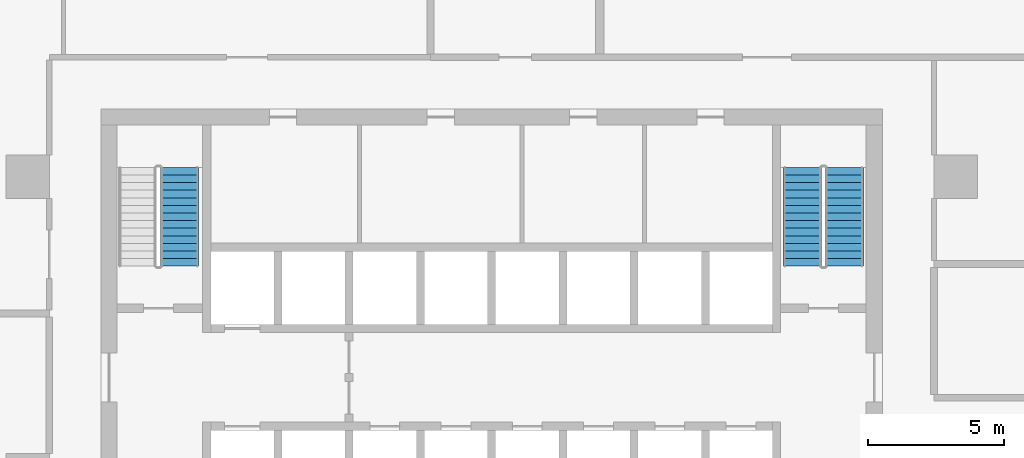
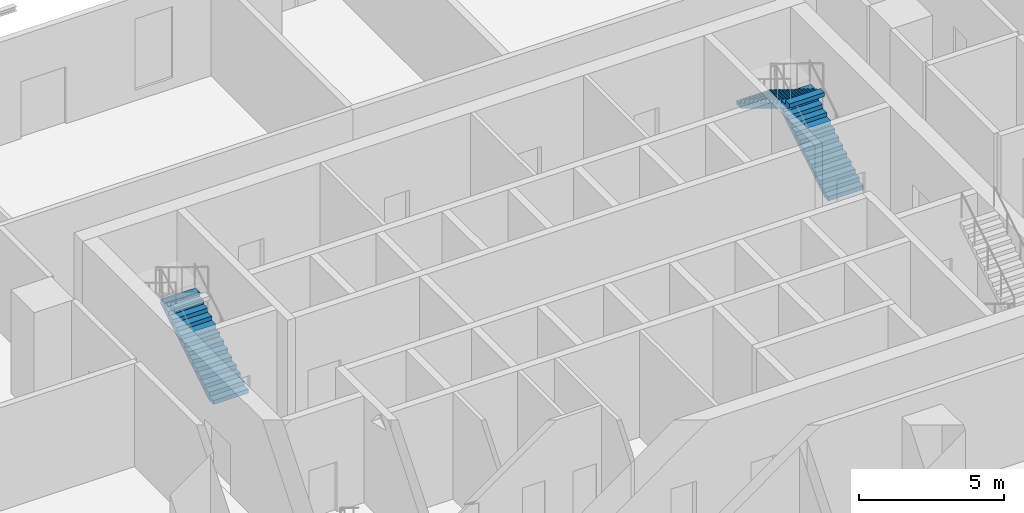
# One storey, part 11 of 17: 3 stair flights, 2 elements without a shape of their own.
"""IFC4 building model written with IfcOpenShell, lengths in metres."""

from ifc_helpers import new_model, si_unit, direction, frame, origin, place, context, subcontext, project, spatial, polyline, outline, extrude, material, type_object, element, aggregate, save


model = new_model("IFC4")

# Units and contexts
model_context = context("Model", 3, precision=1e-05, world=origin(), true_north=direction((0.0, 1.0)))
body_context = subcontext(model_context, "Body", "Model", "MODEL_VIEW")
ifc_project = project(units=[si_unit("LENGTHUNIT", "METRE"), si_unit("AREAUNIT", "SQUARE_METRE"), si_unit("VOLUMEUNIT", "CUBIC_METRE"), si_unit("PLANEANGLEUNIT", "RADIAN"), si_unit("MASSUNIT", "GRAM", prefix="KILO")], contexts=[model_context])

# Site, building, storey
site_placement = place(None, origin())
site = spatial("IfcSite", under=ifc_project, at=site_placement, CompositionType="ELEMENT")
building_placement = place(site_placement, origin())
building = spatial("IfcBuilding", under=site, at=building_placement, Name="Mopane Tessera Tower", CompositionType="ELEMENT")
storey_placement = place(building_placement, frame((0.0, 0.0, 74.199951171875)))
storey = spatial("IfcBuildingStorey", under=building, at=storey_placement, Name="L14", CompositionType="ELEMENT", Elevation=74.199951171875)

# Stair, stair flight
ifc_material_1 = material(Name="Concrete C50/60", Category="concrete")
stair_type = type_object("IfcStairType", Name="Escape stair 1400 mm, riser 171 mm", PredefinedType="HALF_TURN_STAIR", material=ifc_material_1)
stair_1_placement = place(storey_placement, origin())
stair_1 = element("IfcStair", 1, at=stair_1_placement, inside=storey, type_object=stair_type, Name="L14 Escape stair north-west", PredefinedType="HALF_TURN_STAIR")
ifc_material_2 = material(Name="Concrete C50/60", Category="concrete")
stair_flight_type = type_object("IfcStairFlightType", Name="Escape stair flight 1400 mm", PredefinedType="STRAIGHT", material=ifc_material_2)
stair_flight_1_placement = place(storey_placement, frame((-11.5, 7.699951171875, 0.0), z_axis=(0.0, 0.0, 1.0), x_axis=(0.0, 1.0, 0.0)))
stair_flight_1 = element("IfcStairFlight", 2, at=stair_flight_1_placement, type_object=stair_flight_type, Name="ST2 flight 1", NumberOfRisers=14, NumberOfTreads=13, PredefinedType="STRAIGHT", RiserHeight=0.171428571, TreadLength=0.28, context=body_context, shape_type="SweptSolid", body=[
    extrude(outline(polyline([(0.0, 0.0), (0.0, 0.17138671875), (0.280029296875, 0.17138671875), (0.280029296875, 0.3427734375), (0.56005859375, 0.3427734375), (0.56005859375, 0.514404296875), (0.840087890625, 0.514404296875), (0.840087890625, 0.685791015625), (1.1201171875, 0.685791015625), (1.1201171875, 0.857177734375), (1.39990234375, 0.857177734375), (1.39990234375, 1.028564453125), (1.679931640625, 1.028564453125), (1.679931640625, 1.199951171875), (1.9599609375, 1.199951171875), (1.9599609375, 1.371337890625), (2.239990234375, 1.371337890625), (2.239990234375, 1.54296875), (2.52001953125, 1.54296875), (2.52001953125, 1.71435546875), (2.800048828125, 1.71435546875), (2.800048828125, 1.8857421875), (3.080078125, 1.8857421875), (3.080078125, 2.05712890625), (3.360107421875, 2.05712890625), (3.360107421875, 2.228515625), (3.639892578125, 2.228515625), (3.639892578125, 2.39990234375), (3.639892578125, 2.052734375), (0.287109375, 0.0), (0.0, 0.0)])), frame((0.0, 0.699951171875, 0.0), z_axis=(0.0, -1.0, 0.0), x_axis=(1.0, 0.0, 0.0)), (0.0, 0.0, 1.0), 1.39990234375),
])
aggregate(stair_1, [stair_flight_1])

# Stair, stair flights
stair_2_placement = place(storey_placement, origin())
stair_2 = element("IfcStair", 3, at=stair_2_placement, inside=storey, type_object=stair_type, Name="L14 Escape stair north-east", PredefinedType="HALF_TURN_STAIR")
stair_flight_2_placement = place(storey_placement, frame((13.0, 7.699951171875, 0.0), z_axis=(0.0, 0.0, 1.0), x_axis=(0.0, 1.0, 0.0)))
stair_flight_2 = element("IfcStairFlight", 4, at=stair_flight_2_placement, type_object=stair_flight_type, Name="ST4 flight 1", NumberOfRisers=14, NumberOfTreads=13, PredefinedType="STRAIGHT", RiserHeight=0.171428571, TreadLength=0.28, context=body_context, shape_type="SweptSolid", body=[
    extrude(outline(polyline([(0.0, 0.0), (0.0, 0.17138671875), (0.280029296875, 0.17138671875), (0.280029296875, 0.3427734375), (0.56005859375, 0.3427734375), (0.56005859375, 0.514404296875), (0.840087890625, 0.514404296875), (0.840087890625, 0.685791015625), (1.1201171875, 0.685791015625), (1.1201171875, 0.857177734375), (1.39990234375, 0.857177734375), (1.39990234375, 1.028564453125), (1.679931640625, 1.028564453125), (1.679931640625, 1.199951171875), (1.9599609375, 1.199951171875), (1.9599609375, 1.371337890625), (2.239990234375, 1.371337890625), (2.239990234375, 1.54296875), (2.52001953125, 1.54296875), (2.52001953125, 1.71435546875), (2.800048828125, 1.71435546875), (2.800048828125, 1.8857421875), (3.080078125, 1.8857421875), (3.080078125, 2.05712890625), (3.360107421875, 2.05712890625), (3.360107421875, 2.228515625), (3.639892578125, 2.228515625), (3.639892578125, 2.39990234375), (3.639892578125, 2.052734375), (0.287109375, 0.0), (0.0, 0.0)])), frame((0.0, 0.699951171875, 0.0), z_axis=(0.0, -1.0, 0.0), x_axis=(1.0, 0.0, 0.0)), (0.0, 0.0, 1.0), 1.39990234375),
])
stair_flight_3_placement = place(storey_placement, frame((11.449951171875, 11.340087890625, 2.400146484375), z_axis=(0.0, 0.0, 1.0), x_axis=(0.0, -1.0, 0.0)))
stair_flight_3 = element("IfcStairFlight", 5, at=stair_flight_3_placement, type_object=stair_flight_type, Name="ST4 flight 2", NumberOfRisers=14, NumberOfTreads=13, PredefinedType="STRAIGHT", RiserHeight=0.171428571, TreadLength=0.28, context=body_context, shape_type="SweptSolid", body=[
    extrude(outline(polyline([(0.0, 0.0), (0.0, 0.17138671875), (0.280029296875, 0.17138671875), (0.280029296875, 0.3427734375), (0.56005859375, 0.3427734375), (0.56005859375, 0.514404296875), (0.840087890625, 0.514404296875), (0.840087890625, 0.685791015625), (1.1201171875, 0.685791015625), (1.1201171875, 0.857177734375), (1.39990234375, 0.857177734375), (1.39990234375, 1.028564453125), (1.679931640625, 1.028564453125), (1.679931640625, 1.199951171875), (1.9599609375, 1.199951171875), (1.9599609375, 1.371337890625), (2.239990234375, 1.371337890625), (2.239990234375, 1.54296875), (2.52001953125, 1.54296875), (2.52001953125, 1.71435546875), (2.800048828125, 1.71435546875), (2.800048828125, 1.8857421875), (3.080078125, 1.8857421875), (3.080078125, 2.05712890625), (3.360107421875, 2.05712890625), (3.360107421875, 2.228515625), (3.639892578125, 2.228515625), (3.639892578125, 2.39990234375), (3.639892578125, 2.052734375), (0.287109375, 0.0), (0.0, 0.0)])), frame((0.0, 0.699951171875, 0.0), z_axis=(0.0, -1.0, 0.0), x_axis=(1.0, 0.0, 0.0)), (0.0, 0.0, 1.0), 1.39990234375),
])
aggregate(stair_2, [stair_flight_2, stair_flight_3])

save(model, "model.ifc")
